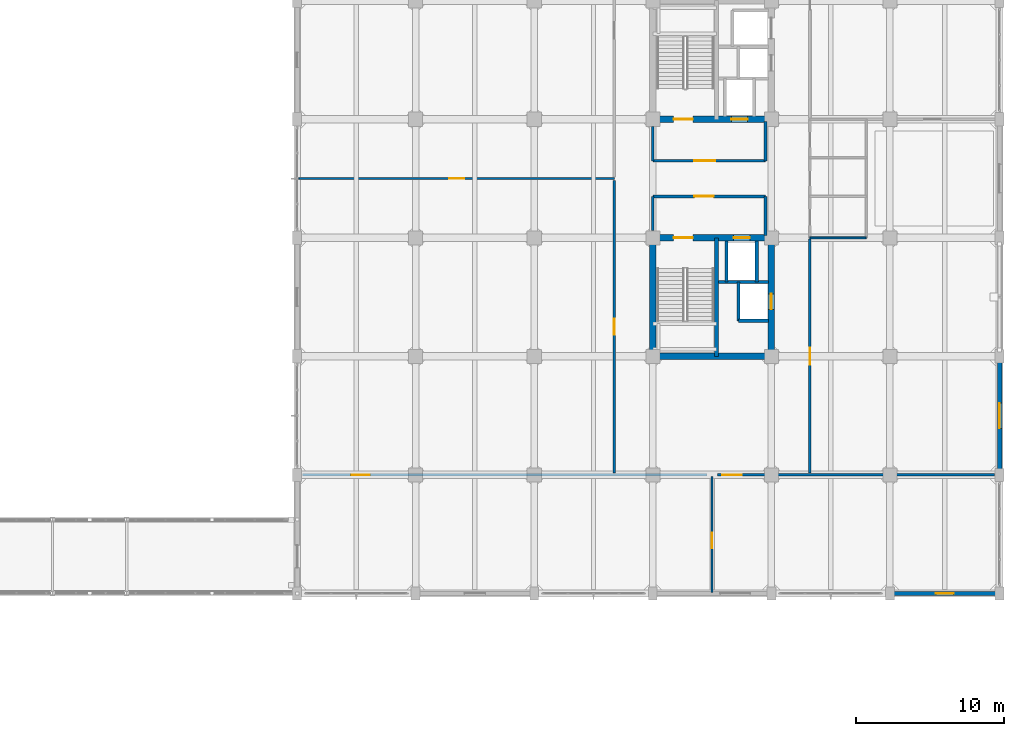
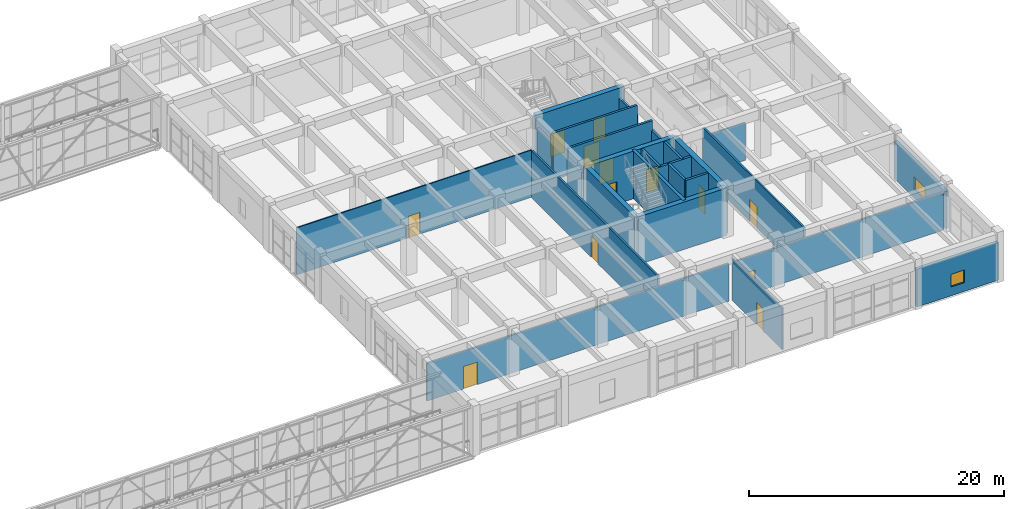
# One storey, part 228 of 248: 26 walls, 13 doors, 2 windows, 15 openings.
"""IFC4 building model written with IfcOpenShell, lengths in metres."""

import ifcopenshell
import ifcopenshell.guid

model = None  # the IFC model being written
_history = None  # IfcOwnerHistory: only IFC2X3 demands one
_inside = {}  # id of a spatial element -> (the spatial element, [elements in it])
_under = {}  # id of a project, library or spatial element -> (it, [spatial elements below it])
_declared = {}  # id of a project -> (the project, [libraries it declares])
_typed = {}  # id of a type object -> (the type object, [elements of that type])
_made_of = {}  # id of a material, layer set ... -> (it, [elements and type objects made of it])


def new_model(schema):
    """Start an empty IFC model of exactly this schema.

    Asked for "IFC4X3", IfcOpenShell would pick the latest addendum, in which some entities
    have other attributes; the version numbers below select the first issue.
    IFC2X3 requires an IfcOwnerHistory on every rooted entity: one is made here for all.
    """
    global model, _history
    if schema == "IFC4X3":
        model = ifcopenshell.file(schema_version=(4, 3, 0, 0))
    else:
        model = ifcopenshell.file(schema=schema)
    _inside.clear()
    _under.clear()
    _declared.clear()
    _typed.clear()
    _made_of.clear()
    _history = None
    if model.schema == "IFC2X3":
        org = make("IfcOrganization", Name="unknown")
        user = make(
            "IfcPersonAndOrganization",
            ThePerson=make("IfcPerson", FamilyName="unknown"),
            TheOrganization=org,
        )
        app = make(
            "IfcApplication",
            ApplicationDeveloper=org,
            Version="unknown",
            ApplicationFullName="unknown",
            ApplicationIdentifier="unknown",
        )
        _history = make(
            "IfcOwnerHistory",
            OwningUser=user,
            OwningApplication=app,
            ChangeAction="ADDED",
            CreationDate=0,
        )
    return model


def make(cls, **values):
    """One entity of the class cls with the attributes given. An attribute that is None is left unset."""
    return model.create_entity(
        cls, **{name: value for name, value in values.items() if value is not None}
    )


def rooted(cls, **values):
    """An entity with a GlobalId (a new one), such as an element, a storey or a relation."""
    return make(cls, GlobalId=ifcopenshell.guid.new(), OwnerHistory=_history, **values)


def si_unit(unit_type, name, prefix=None):
    """IfcSIUnit, for example si_unit("LENGTHUNIT", "METRE", prefix="MILLI")."""
    return make("IfcSIUnit", UnitType=unit_type, Prefix=prefix, Name=name)


def assignment(units):
    """IfcUnitAssignment: the units of a project."""
    return None if units is None else make("IfcUnitAssignment", Units=units)


def point(xyz):
    """IfcCartesianPoint."""
    return None if xyz is None else make("IfcCartesianPoint", Coordinates=xyz)


def direction(xyz):
    """IfcDirection."""
    return None if xyz is None else make("IfcDirection", DirectionRatios=xyz)


def frame(location, z_axis=None, x_axis=None):
    """IfcAxis2Placement3D, a coordinate frame: its origin and axes. An axis left out is left unset."""
    return make(
        "IfcAxis2Placement3D",
        Location=point(location),
        Axis=direction(z_axis),
        RefDirection=direction(x_axis),
    )


def frame_2d(location, x_axis=None):
    """IfcAxis2Placement2D, a coordinate frame in the plane: its origin and x axis."""
    return make(
        "IfcAxis2Placement2D", Location=point(location), RefDirection=direction(x_axis)
    )


def origin():
    """The frame at (0, 0, 0) with its axes left unset."""
    return frame((0.0, 0.0, 0.0))


def place(relative_to, where):
    """IfcLocalPlacement: puts the frame where relative to a parent placement (None: the world)."""
    return make(
        "IfcLocalPlacement", PlacementRelTo=relative_to, RelativePlacement=where
    )


def context(
    kind, dimensions, precision=None, world=None, true_north=None, identifier=None
):
    """IfcGeometricRepresentationContext, for example the 3D "Model" context."""
    return make(
        "IfcGeometricRepresentationContext",
        ContextIdentifier=identifier,
        ContextType=kind,
        CoordinateSpaceDimension=dimensions,
        Precision=precision,
        WorldCoordinateSystem=world,
        TrueNorth=true_north,
    )


def subcontext(parent, identifier, kind, view, scale=None):
    """IfcGeometricRepresentationSubContext, for example "Body" below "Model"."""
    return make(
        "IfcGeometricRepresentationSubContext",
        ContextIdentifier=identifier,
        ContextType=kind,
        ParentContext=parent,
        TargetScale=scale,
        TargetView=view,
    )


def project(units=None, contexts=None):
    """IfcProject with its units and contexts."""
    return rooted(
        "IfcProject",
        Name="project",
        RepresentationContexts=contexts,
        UnitsInContext=assignment(units),
    )


def spatial(cls, under=None, at=None, **own):
    """A site, building, storey or space (cls), placed at a placement, below another one or the project."""
    s = rooted(cls, ObjectPlacement=at, **own)
    if under is not None:
        _under.setdefault(under.id(), (under, []))[1].append(s)
    return s


def profile(cls, at=None, kind="AREA", **sizes):
    """A parametric profile (cls). Its sizes go by their IFC names, for example OverallWidth=200.0."""
    return make(cls, ProfileType=kind, Position=at, **sizes)


def rectangle(**sizes):
    """IfcRectangleProfileDef."""
    return profile("IfcRectangleProfileDef", **sizes)


def extrude(swept, where, along, depth):
    """IfcExtrudedAreaSolid: the profile swept, set in the frame where, extruded along a direction by depth."""
    return make(
        "IfcExtrudedAreaSolid",
        SweptArea=swept,
        Position=where,
        ExtrudedDirection=direction(along),
        Depth=depth,
    )


def shape(context_of_items, identifier, shape_type, items):
    """IfcShapeRepresentation: the items that make up one representation, for example the "Body"."""
    return make(
        "IfcShapeRepresentation",
        ContextOfItems=context_of_items,
        RepresentationIdentifier=identifier,
        RepresentationType=shape_type,
        Items=items,
    )


def material(Name=None, Category=None):
    """IfcMaterial."""
    return make("IfcMaterial", Name=Name, Category=Category)


def layer(
    of_material, thickness, ventilated=None, Name=None, Category=None, Priority=None
):
    """IfcMaterialLayer: one layer of a wall or slab, of a material (None: an air gap)."""
    return make(
        "IfcMaterialLayer",
        Material=of_material,
        LayerThickness=thickness,
        IsVentilated=ventilated,
        Name=Name,
        Category=Category,
        Priority=Priority,
    )


def layer_set(layers, Name=None):
    """IfcMaterialLayerSet."""
    return make("IfcMaterialLayerSet", MaterialLayers=layers, LayerSetName=Name)


def made_of(thing, what):
    """Note that an element or type object is made of a material, layer set ...; save() writes the relation."""
    if what is not None:
        _made_of.setdefault(what.id(), (what, []))[1].append(thing)
    return thing


def type_object(cls, material=None, **own):
    """A type object (cls), such as IfcWallType, which elements share."""
    return made_of(rooted(cls, **own), material)


def element(
    cls,
    number,
    at=None,
    inside=None,
    cuts=None,
    type_object=None,
    material=None,
    context=None,
    identifier="Body",
    shape_type=None,
    held_by="IfcProductDefinitionShape",
    body=None,
    shapes=None,
    **own,
):
    """One element of the class cls, such as IfcWall. Its Tag is "e" and its number.

    at: its placement. inside: the storey or other place that contains it. cuts: it is an
    opening in that element (IfcRelVoidsElement). A single representation is given by context,
    identifier, shape_type and body (its items); several are given by shapes. held_by: the class
    of the entity that holds the representations. save() writes the other relations.
    """
    e = rooted(cls, Tag="e%d" % number, ObjectPlacement=at, **own)
    if body is not None:
        shapes = [shape(context, identifier, shape_type, body)]
    if shapes is not None:
        e.Representation = make(held_by, Representations=shapes)
    if inside is not None:
        _inside.setdefault(inside.id(), (inside, []))[1].append(e)
    if cuts is not None:
        rooted(
            "IfcRelVoidsElement", RelatingBuildingElement=cuts, RelatedOpeningElement=e
        )
    if type_object is not None:
        _typed.setdefault(type_object.id(), (type_object, []))[1].append(e)
    return made_of(e, material)


def fill(opening, filler):
    """IfcRelFillsElement: the door or window that sits in an opening."""
    return rooted(
        "IfcRelFillsElement",
        RelatingOpeningElement=opening,
        RelatedBuildingElement=filler,
    )


def aggregate(whole, parts):
    """IfcRelAggregates: a whole, such as a stair, and the parts it consists of."""
    return rooted("IfcRelAggregates", RelatingObject=whole, RelatedObjects=parts)


def save(model, path):
    """Write the relations noted so far, then the file.

    IfcRelAggregates (storeys below a building ...), IfcRelContainedInSpatialStructure (elements
    in a storey), IfcRelDefinesByType, IfcRelAssociatesMaterial and IfcRelDeclares: one each for
    every whole, place, type object, material and project.
    """
    for whole, parts in _under.values():
        aggregate(whole, parts)
    for where, things in _inside.values():
        rooted(
            "IfcRelContainedInSpatialStructure",
            RelatedElements=things,
            RelatingStructure=where,
        )
    for kind, things in _typed.values():
        rooted("IfcRelDefinesByType", RelatedObjects=things, RelatingType=kind)
    for what, things in _made_of.values():
        rooted("IfcRelAssociatesMaterial", RelatedObjects=things, RelatingMaterial=what)
    for by, libraries in _declared.values():
        rooted("IfcRelDeclares", RelatingContext=by, RelatedDefinitions=libraries)
    model.write(path)


model = new_model("IFC4")

# Units and contexts
model_context = context("Model", 3, precision=1e-05, world=origin(), true_north=direction((0.0, 1.0)))
body_context = subcontext(model_context, "Body", "Model", "MODEL_VIEW")
ifc_project = project(units=[si_unit("LENGTHUNIT", "METRE"), si_unit("AREAUNIT", "SQUARE_METRE"), si_unit("VOLUMEUNIT", "CUBIC_METRE"), si_unit("PLANEANGLEUNIT", "RADIAN"), si_unit("MASSUNIT", "GRAM", prefix="KILO")], contexts=[model_context])

# Site, building, storey
site_placement = place(None, origin())
site = spatial("IfcSite", under=ifc_project, at=site_placement, CompositionType="ELEMENT")
building_placement = place(site_placement, origin())
building = spatial("IfcBuilding", under=site, at=building_placement, Name="Canggui Botanical Conservatory", CompositionType="ELEMENT")
storey_placement = place(building_placement, frame((0.0, 0.0, 5.39990234375)))
storey = spatial("IfcBuildingStorey", under=building, at=storey_placement, Name="L02", CompositionType="ELEMENT", Elevation=5.39990234375)

# Wall, opening, window
ifc_material_1 = material(Name="Precast Concrete C40", Category="concrete")
ifc_layer_1 = layer(ifc_material_1, 0.300048828125, Name="Precast Concrete C40", Category="concrete")
ifc_layer_set_1 = layer_set([ifc_layer_1], Name="Precast Concrete C40")
wall_type_1 = type_object("IfcWallType", Name="EW-300", PredefinedType="STANDARD", material=ifc_layer_set_1)
wall_1_placement = place(storey_placement, frame((177.39990234375, 26.0, 0.0), z_axis=(0.0, 0.0, 1.0), x_axis=(-1.0, 0.0, 0.0)))
wall_1 = element("IfcWall", 1, at=wall_1_placement, inside=storey, type_object=wall_type_1, Name="Tower Insulated Exterior Wall L02-S1", PredefinedType="STANDARD", context=body_context, shape_type="SweptSolid", body=[
    extrude(rectangle(XDim=7.39990234375, YDim=0.300048828125, at=frame_2d((3.699951171875, 0.0))), origin(), (0.0, 0.0, 1.0), 3.60009765625),
])
opening_1_placement = place(wall_1_placement, frame((3.10009765625, 0.0, 0.85009765625)))
opening_1 = element("IfcOpeningElement", 2, at=opening_1_placement, cuts=wall_1, Name="Opening W-06", PredefinedType="OPENING", context=body_context, shape_type="SweptSolid", body=[
    extrude(rectangle(XDim=1.199951171875, YDim=1.199951171875, at=frame_2d((0.60009765625, 0.60009765625))), frame((0.0, 0.16015625, 0.0), z_axis=(0.0, -1.0, 0.0), x_axis=(1.0, 0.0, 0.0)), (0.0, 0.0, 1.0), 0.320068359375),
])
ifc_material_2 = material(Name="Low-E Insulated Glass", Category="glass")
window_type_1 = type_object("IfcWindowType", Name="WIN-06", PartitioningType="SINGLE_PANEL", PredefinedType="WINDOW", material=ifc_material_2)
window_1_placement = place(opening_1_placement, origin())
window_1 = element("IfcWindow", 3, at=window_1_placement, inside=storey, type_object=window_type_1, Name="Tower Firefighter Rescue Window L02-1", OverallHeight=1.199951171875, OverallWidth=1.199951171875, PartitioningType="SINGLE_PANEL", PredefinedType="WINDOW", context=body_context, shape_type="SweptSolid", body=[
    extrude(rectangle(XDim=1.199951171875, YDim=1.199951171875, at=frame_2d((0.60009765625, 0.60009765625))), frame((0.0, 0.030029296875, 0.0), z_axis=(0.0, -1.0, 0.0), x_axis=(1.0, 0.0, 0.0)), (0.0, 0.0, 1.0), 0.06005859375),
])
fill(opening_1, window_1)

wall_2_placement = place(storey_placement, frame((177.39990234375, 42.0, 0.0), z_axis=(0.0, 0.0, 1.0), x_axis=(0.0, -1.0, 0.0)))
wall_2 = element("IfcWall", 4, at=wall_2_placement, inside=storey, type_object=wall_type_1, Name="Tower Insulated Exterior Wall L02-E25", PredefinedType="STANDARD", context=body_context, shape_type="SweptSolid", body=[
    extrude(rectangle(XDim=8.0, YDim=0.300048828125, at=frame_2d((4.0, 0.0))), origin(), (0.0, 0.0, 1.0), 3.550048828125),
])
opening_2_placement = place(wall_2_placement, frame((3.14990234375, 0.0, 0.85009765625)))
opening_2 = element("IfcOpeningElement", 5, at=opening_2_placement, cuts=wall_2, Name="Opening W-23", PredefinedType="OPENING", context=body_context, shape_type="SweptSolid", body=[
    extrude(rectangle(XDim=1.699951171875, YDim=1.199951171875, at=frame_2d((0.85009765625, 0.60009765625))), frame((0.0, 0.16015625, 0.0), z_axis=(0.0, -1.0, 0.0), x_axis=(1.0, 0.0, 0.0)), (0.0, 0.0, 1.0), 0.320068359375),
])
window_type_2 = type_object("IfcWindowType", Name="WIN-23", PartitioningType="SINGLE_PANEL", PredefinedType="WINDOW", material=ifc_material_2)
window_2_placement = place(opening_2_placement, origin())
window_2 = element("IfcWindow", 6, at=window_2_placement, inside=storey, type_object=window_type_2, Name="Tower Window L02-25", OverallHeight=1.199951171875, OverallWidth=1.699951171875, PartitioningType="SINGLE_PANEL", PredefinedType="WINDOW", context=body_context, shape_type="SweptSolid", body=[
    extrude(rectangle(XDim=1.699951171875, YDim=1.199951171875, at=frame_2d((0.85009765625, 0.60009765625))), frame((0.0, 0.030029296875, 0.0), z_axis=(0.0, -1.0, 0.0), x_axis=(1.0, 0.0, 0.0)), (0.0, 0.0, 1.0), 0.06005859375),
])
fill(opening_2, window_2)

# Wall, opening, door
ifc_material_3 = material(Name="Gypsum Plasterboard Partition")
ifc_layer_2 = layer(ifc_material_3, 0.175048828125, Name="Gypsum Plasterboard Partition")
ifc_layer_set_2 = layer_set([ifc_layer_2], Name="Gypsum Plasterboard Partition")
wall_type_2 = type_object("IfcWallType", Name="IW-CORR-175", PredefinedType="STANDARD", material=ifc_layer_set_2)
wall_3_placement = place(storey_placement, frame((151.39990234375, 34.1201171875, 0.0), z_axis=(0.0, 0.0, 1.0), x_axis=(0.0, 1.0, 0.0)))
wall_3 = element("IfcWall", 7, at=wall_3_placement, inside=storey, type_object=wall_type_2, Name="L02 Herbarium Vascular Plant Specimen Vault Corridor Wall", PredefinedType="STANDARD", context=body_context, shape_type="SweptSolid", body=[
    extrude(rectangle(XDim=19.759765625, YDim=0.175048828125, at=frame_2d((9.8798828125, 0.0))), origin(), (0.0, 0.0, 1.0), 4.5),
])
opening_3_placement = place(wall_3_placement, frame((9.35498046875, 0.0, 0.0)))
opening_3 = element("IfcOpeningElement", 8, at=opening_3_placement, cuts=wall_3, Name="Opening FD-04", PredefinedType="OPENING", context=body_context, shape_type="SweptSolid", body=[
    extrude(rectangle(XDim=1.050048828125, YDim=2.10009765625, at=frame_2d((0.52490234375, 1.050048828125))), frame((0.0, 0.09765625, 0.0), z_axis=(0.0, -1.0, 0.0), x_axis=(1.0, 0.0, 0.0)), (0.0, 0.0, 1.0), 0.195068359375),
])
ifc_material_4 = material(Name="Powder-Coated Steel", Category="steel")
door_type_1 = type_object("IfcDoorType", Name="FD-04", OperationType="NOTDEFINED", PredefinedType="DOOR", material=ifc_material_4)
door_1_placement = place(opening_3_placement, origin())
door_1 = element("IfcDoor", 9, at=door_1_placement, inside=storey, type_object=door_type_1, Name="L02 Herbarium Vascular Plant Specimen Vault Entrance Door", OperationType="SINGLE_SWING_LEFT", OverallHeight=2.10009765625, OverallWidth=1.050048828125, PredefinedType="DOOR", context=body_context, shape_type="SweptSolid", body=[
    extrude(rectangle(XDim=1.050048828125, YDim=2.10009765625, at=frame_2d((0.52490234375, 1.050048828125))), frame((0.0, 0.02490234375, 0.0), z_axis=(0.0, -1.0, 0.0), x_axis=(1.0, 0.0, 0.0)), (0.0, 0.0, 1.0), 0.050048828125),
])
fill(opening_3, door_1)

wall_4_placement = place(storey_placement, frame((130.35009765625, 34.0, 0.0), z_axis=(0.0, 0.0, 1.0), x_axis=(1.0, 0.0, 0.0)))
wall_4 = element("IfcWall", 10, at=wall_4_placement, inside=storey, type_object=wall_type_2, Name="L02 Specimen Pressing and Drying Room South Suite Wall", PredefinedType="STANDARD", context=body_context, shape_type="SweptSolid", body=[
    extrude(rectangle(XDim=27.2998046875, YDim=0.175048828125, at=frame_2d((13.64990234375, 0.0))), origin(), (0.0, 0.0, 1.0), 3.60009765625),
])
opening_4_placement = place(wall_4_placement, frame((3.300048828125, 0.0, 0.0)))
opening_4 = element("IfcOpeningElement", 11, at=opening_4_placement, cuts=wall_4, Name="Opening FD-08", PredefinedType="OPENING", context=body_context, shape_type="SweptSolid", body=[
    extrude(rectangle(XDim=1.25, YDim=2.14990234375, at=frame_2d((0.625, 1.074951171875))), frame((0.0, 0.09765625, 0.0), z_axis=(0.0, -1.0, 0.0), x_axis=(1.0, 0.0, 0.0)), (0.0, 0.0, 1.0), 0.195068359375),
])
door_type_2 = type_object("IfcDoorType", Name="FD-08", OperationType="NOTDEFINED", PredefinedType="DOOR", material=ifc_material_4)
door_2_placement = place(opening_4_placement, origin())
door_2 = element("IfcDoor", 12, at=door_2_placement, inside=storey, type_object=door_type_2, Name="Interior Door IW-L02-SCOR-1", OperationType="SINGLE_SWING_LEFT", OverallHeight=2.14990234375, OverallWidth=1.25, PredefinedType="DOOR", context=body_context, shape_type="SweptSolid", body=[
    extrude(rectangle(XDim=1.25, YDim=2.14990234375, at=frame_2d((0.625, 1.074951171875))), frame((0.0, 0.02490234375, 0.0), z_axis=(0.0, -1.0, 0.0), x_axis=(1.0, 0.0, 0.0)), (0.0, 0.0, 1.0), 0.050048828125),
])
fill(opening_4, door_2)

wall_5_placement = place(storey_placement, frame((158.35009765625, 34.0, 0.0), z_axis=(0.0, 0.0, 1.0), x_axis=(1.0, 0.0, 0.0)))
wall_5 = element("IfcWall", 13, at=wall_5_placement, inside=storey, type_object=wall_type_2, Name="L02 Botanical Taxonomy Catalogue Room South Suite Wall", PredefinedType="STANDARD", context=body_context, shape_type="SweptSolid", body=[
    extrude(rectangle(XDim=18.699951171875, YDim=0.175048828125, at=frame_2d((9.35009765625, 0.0))), origin(), (0.0, 0.0, 1.0), 3.60009765625),
])
opening_5_placement = place(wall_5_placement, frame((0.35009765625, 0.0, 0.0)))
opening_5 = element("IfcOpeningElement", 14, at=opening_5_placement, cuts=wall_5, Name="Opening FD-09", PredefinedType="OPENING", context=body_context, shape_type="SweptSolid", body=[
    extrude(rectangle(XDim=1.300048828125, YDim=2.14990234375, at=frame_2d((0.64990234375, 1.074951171875))), frame((0.0, 0.09765625, 0.0), z_axis=(0.0, -1.0, 0.0), x_axis=(1.0, 0.0, 0.0)), (0.0, 0.0, 1.0), 0.195068359375),
])
door_type_3 = type_object("IfcDoorType", Name="FD-09", OperationType="NOTDEFINED", PredefinedType="DOOR", material=ifc_material_4)
door_3_placement = place(opening_5_placement, origin())
door_3 = element("IfcDoor", 15, at=door_3_placement, inside=storey, type_object=door_type_3, Name="Interior Door IW-L02-SCOR-2", OperationType="SINGLE_SWING_LEFT", OverallHeight=2.14990234375, OverallWidth=1.300048828125, PredefinedType="DOOR", context=body_context, shape_type="SweptSolid", body=[
    extrude(rectangle(XDim=1.300048828125, YDim=2.14990234375, at=frame_2d((0.64990234375, 1.074951171875))), frame((0.0, 0.02490234375, 0.0), z_axis=(0.0, -1.0, 0.0), x_axis=(1.0, 0.0, 0.0)), (0.0, 0.0, 1.0), 0.050048828125),
])
fill(opening_5, door_3)

ifc_layer_3 = layer(ifc_material_3, 0.155029296875, Name="Gypsum Plasterboard Partition")
ifc_layer_set_3 = layer_set([ifc_layer_3], Name="Gypsum Plasterboard Partition")
wall_type_3 = type_object("IfcWallType", Name="IW-LAB-155", PredefinedType="STANDARD", material=ifc_layer_set_3)
wall_6_placement = place(storey_placement, frame((164.60009765625, 34.1201171875, 0.0), z_axis=(0.0, 0.0, 1.0), x_axis=(0.0, 1.0, 0.0)))
wall_6 = element("IfcWall", 16, at=wall_6_placement, inside=storey, type_object=wall_type_3, Name="L02 Herbarium Mounting and Curation Studio Lab Wall", PredefinedType="STANDARD", context=body_context, shape_type="SweptSolid", body=[
    extrude(rectangle(XDim=15.7998046875, YDim=0.155029296875, at=frame_2d((7.89990234375, 0.0))), origin(), (0.0, 0.0, 1.0), 4.5),
])
opening_6_placement = place(wall_6_placement, frame((7.324951171875, 0.0, 0.0)))
opening_6 = element("IfcOpeningElement", 17, at=opening_6_placement, cuts=wall_6, Name="Opening FD-06", PredefinedType="OPENING", context=body_context, shape_type="SweptSolid", body=[
    extrude(rectangle(XDim=1.14990234375, YDim=2.10009765625, at=frame_2d((0.574951171875, 1.050048828125))), frame((0.0, 0.08740234375, 0.0), z_axis=(0.0, -1.0, 0.0), x_axis=(1.0, 0.0, 0.0)), (0.0, 0.0, 1.0), 0.175048828125),
])
door_type_4 = type_object("IfcDoorType", Name="FD-06", OperationType="NOTDEFINED", PredefinedType="DOOR", material=ifc_material_4)
door_4_placement = place(opening_6_placement, origin())
door_4 = element("IfcDoor", 18, at=door_4_placement, inside=storey, type_object=door_type_4, Name="Interior Door IW-L02-ECOR-1-1", OperationType="SINGLE_SWING_RIGHT", OverallHeight=2.10009765625, OverallWidth=1.14990234375, PredefinedType="DOOR", context=body_context, shape_type="SweptSolid", body=[
    extrude(rectangle(XDim=1.14990234375, YDim=2.10009765625, at=frame_2d((0.574951171875, 1.050048828125))), frame((0.0, 0.02490234375, 0.0), z_axis=(0.0, -1.0, 0.0), x_axis=(1.0, 0.0, 0.0)), (0.0, 0.0, 1.0), 0.050048828125),
])
fill(opening_6, door_4)

ifc_layer_4 = layer(ifc_material_3, 0.110107421875, Name="Gypsum Plasterboard Partition")
ifc_layer_set_4 = layer_set([ifc_layer_4], Name="Gypsum Plasterboard Partition")
wall_type_4 = type_object("IfcWallType", Name="IW-LIGHT-110", PredefinedType="STANDARD", material=ifc_layer_set_4)
wall_7_placement = place(storey_placement, frame((130.1201171875, 54.0, 0.0), z_axis=(0.0, 0.0, 1.0), x_axis=(1.0, 0.0, 0.0)))
wall_7 = element("IfcWall", 19, at=wall_7_placement, inside=storey, type_object=wall_type_4, Name="L02 Herbarium Vascular Plant Specimen Vault Cross Partition", PredefinedType="STANDARD", context=body_context, shape_type="SweptSolid", body=[
    extrude(rectangle(XDim=21.27978515625, YDim=0.110107421875, at=frame_2d((10.639892578125, 0.0))), origin(), (0.0, 0.0, 1.0), 4.5),
])
opening_7_placement = place(wall_7_placement, frame((10.1298828125, 0.0, 0.0)))
opening_7 = element("IfcOpeningElement", 20, at=opening_7_placement, cuts=wall_7, Name="Opening ID-04", PredefinedType="OPENING", context=body_context, shape_type="SweptSolid", body=[
    extrude(rectangle(XDim=1.02001953125, YDim=2.080078125, at=frame_2d((0.510009765625, 1.0400390625))), frame((0.0, 0.06494140625, 0.0), z_axis=(0.0, -1.0, 0.0), x_axis=(1.0, 0.0, 0.0)), (0.0, 0.0, 1.0), 0.130126953125),
])
ifc_material_5 = material(Name="Engineered Timber Veneer", Category="wood")
door_type_5 = type_object("IfcDoorType", Name="ID-04", OperationType="NOTDEFINED", PredefinedType="DOOR", material=ifc_material_5)
door_5_placement = place(opening_7_placement, origin())
door_5 = element("IfcDoor", 21, at=door_5_placement, inside=storey, type_object=door_type_5, Name="L02 Herbarium Vascular Plant Specimen Vault Interconnecting Door", OperationType="SINGLE_SWING_RIGHT", OverallHeight=2.080078125, OverallWidth=1.02001953125, PredefinedType="DOOR", context=body_context, shape_type="SweptSolid", body=[
    extrude(rectangle(XDim=1.02001953125, YDim=2.080078125, at=frame_2d((0.510009765625, 1.0400390625))), frame((0.0, 0.02490234375, 0.0), z_axis=(0.0, -1.0, 0.0), x_axis=(1.0, 0.0, 0.0)), (0.0, 0.0, 1.0), 0.050048828125),
])
fill(opening_7, door_5)

ifc_material_6 = material(Name="Concrete C35", Category="concrete")
ifc_layer_5 = layer(ifc_material_6, 0.195068359375, Name="Concrete C35", Category="concrete")
ifc_layer_set_5 = layer_set([ifc_layer_5], Name="Concrete C35")
wall_type_5 = type_object("IfcWallType", Name="IW-LOBBY-195", PredefinedType="STANDARD", material=ifc_layer_set_5)
wall_8_placement = place(storey_placement, frame((154.0, 52.800048828125, 0.0), z_axis=(0.0, 0.0, 1.0), x_axis=(1.0, 0.0, 0.0)))
wall_8 = element("IfcWall", 22, at=wall_8_placement, inside=storey, type_object=wall_type_5, Name="L02 South Firefighting Lift Lobby North Wall", PredefinedType="STANDARD", context=body_context, shape_type="SweptSolid", body=[
    extrude(rectangle(XDim=7.60009765625, YDim=0.195068359375, at=frame_2d((3.800048828125, 0.0))), origin(), (0.0, 0.0, 1.0), 4.5),
])
opening_8_placement = place(wall_8_placement, frame((2.800048828125, 0.0, 0.0)))
opening_8 = element("IfcOpeningElement", 23, at=opening_8_placement, cuts=wall_8, Name="Opening FD-09", PredefinedType="OPENING", context=body_context, shape_type="SweptSolid", body=[
    extrude(rectangle(XDim=1.300048828125, YDim=2.14990234375, at=frame_2d((0.64990234375, 1.074951171875))), frame((0.0, 0.107421875, 0.0), z_axis=(0.0, -1.0, 0.0), x_axis=(1.0, 0.0, 0.0)), (0.0, 0.0, 1.0), 0.215087890625),
])
door_6_placement = place(opening_8_placement, origin())
door_6 = element("IfcDoor", 24, at=door_6_placement, inside=storey, type_object=door_type_3, Name="L02 South Firefighting Lobby Fire Door", OperationType="SINGLE_SWING_RIGHT", OverallHeight=2.14990234375, OverallWidth=1.300048828125, PredefinedType="DOOR", context=body_context, shape_type="SweptSolid", body=[
    extrude(rectangle(XDim=1.300048828125, YDim=2.14990234375, at=frame_2d((0.64990234375, 1.074951171875))), frame((0.0, 0.02490234375, 0.0), z_axis=(0.0, -1.0, 0.0), x_axis=(1.0, 0.0, 0.0)), (0.0, 0.0, 1.0), 0.050048828125),
])
fill(opening_8, door_6)

# Walls
wall_9_placement = place(storey_placement, frame((161.60009765625, 50.14990234375, 0.0), z_axis=(0.0, 0.0, 1.0), x_axis=(0.0, 1.0, 0.0)))
element("IfcWall", 25, at=wall_9_placement, inside=storey, type_object=wall_type_5, Name="L02 South Firefighting Lift Lobby East Wall", PredefinedType="STANDARD", context=body_context, shape_type="SweptSolid", body=[
    extrude(rectangle(XDim=2.650146484375, YDim=0.195068359375, at=frame_2d((1.3251953125, 0.0))), origin(), (0.0, 0.0, 1.0), 3.550048828125),
])
wall_10_placement = place(storey_placement, frame((154.0, 50.5, 0.0), z_axis=(0.0, 0.0, 1.0), x_axis=(0.0, 1.0, 0.0)))
element("IfcWall", 26, at=wall_10_placement, inside=storey, type_object=wall_type_5, Name="L02 South Firefighting Lift Lobby West Wall", PredefinedType="STANDARD", context=body_context, shape_type="SweptSolid", body=[
    extrude(rectangle(XDim=2.300048828125, YDim=0.195068359375, at=frame_2d((1.14990234375, 0.0))), origin(), (0.0, 0.0, 1.0), 3.550048828125),
])

# Wall, opening, door
wall_11_placement = place(storey_placement, frame((154.0, 55.199951171875, 0.0), z_axis=(0.0, 0.0, 1.0), x_axis=(1.0, 0.0, 0.0)))
wall_11 = element("IfcWall", 27, at=wall_11_placement, inside=storey, type_object=wall_type_5, Name="L02 North Firefighting Lift Lobby South Wall", PredefinedType="STANDARD", context=body_context, shape_type="SweptSolid", body=[
    extrude(rectangle(XDim=7.60009765625, YDim=0.195068359375, at=frame_2d((3.800048828125, 0.0))), origin(), (0.0, 0.0, 1.0), 4.5),
])
opening_9_placement = place(wall_11_placement, frame((2.800048828125, 0.0, 0.0)))
opening_9 = element("IfcOpeningElement", 28, at=opening_9_placement, cuts=wall_11, Name="Opening FD-11", PredefinedType="OPENING", context=body_context, shape_type="SweptSolid", body=[
    extrude(rectangle(XDim=1.39990234375, YDim=2.199951171875, at=frame_2d((0.699951171875, 1.10009765625))), frame((0.0, 0.107421875, 0.0), z_axis=(0.0, -1.0, 0.0), x_axis=(1.0, 0.0, 0.0)), (0.0, 0.0, 1.0), 0.215087890625),
])
door_type_6 = type_object("IfcDoorType", Name="FD-11", OperationType="NOTDEFINED", PredefinedType="DOOR", material=ifc_material_4)
door_7_placement = place(opening_9_placement, origin())
door_7 = element("IfcDoor", 29, at=door_7_placement, inside=storey, type_object=door_type_6, Name="L02 North Firefighting Lobby Fire Door", OperationType="SINGLE_SWING_LEFT", OverallHeight=2.199951171875, OverallWidth=1.39990234375, PredefinedType="DOOR", context=body_context, shape_type="SweptSolid", body=[
    extrude(rectangle(XDim=1.39990234375, YDim=2.199951171875, at=frame_2d((0.699951171875, 1.10009765625))), frame((0.0, 0.02490234375, 0.0), z_axis=(0.0, -1.0, 0.0), x_axis=(1.0, 0.0, 0.0)), (0.0, 0.0, 1.0), 0.050048828125),
])
fill(opening_9, door_7)

# Walls
wall_12_placement = place(storey_placement, frame((161.60009765625, 55.199951171875, 0.0), z_axis=(0.0, 0.0, 1.0), x_axis=(0.0, 1.0, 0.0)))
element("IfcWall", 30, at=wall_12_placement, inside=storey, type_object=wall_type_5, Name="L02 North Firefighting Lift Lobby East Wall", PredefinedType="STANDARD", context=body_context, shape_type="SweptSolid", body=[
    extrude(rectangle(XDim=2.650146484375, YDim=0.195068359375, at=frame_2d((1.3251953125, 0.0))), origin(), (0.0, 0.0, 1.0), 3.550048828125),
])
wall_13_placement = place(storey_placement, frame((154.0, 55.199951171875, 0.0), z_axis=(0.0, 0.0, 1.0), x_axis=(0.0, 1.0, 0.0)))
element("IfcWall", 31, at=wall_13_placement, inside=storey, type_object=wall_type_5, Name="L02 North Firefighting Lift Lobby West Wall", PredefinedType="STANDARD", context=body_context, shape_type="SweptSolid", body=[
    extrude(rectangle(XDim=2.300048828125, YDim=0.195068359375, at=frame_2d((1.14990234375, 0.0))), origin(), (0.0, 0.0, 1.0), 3.550048828125),
])

# Wall, opening, door
ifc_layer_6 = layer(ifc_material_3, 0.139892578125, Name="Gypsum Plasterboard Partition")
ifc_layer_set_6 = layer_set([ifc_layer_6], Name="Gypsum Plasterboard Partition")
wall_type_6 = type_object("IfcWallType", Name="IW-PART-140", PredefinedType="STANDARD", material=ifc_layer_set_6)
wall_14_placement = place(storey_placement, frame((158.0, 26.050048828125, 0.0), z_axis=(0.0, 0.0, 1.0), x_axis=(0.0, 1.0, 0.0)))
wall_14 = element("IfcWall", 32, at=wall_14_placement, inside=storey, type_object=wall_type_6, Name="L02 Specimen Pressing and Drying Room South Cross Wall", PredefinedType="STANDARD", context=body_context, shape_type="SweptSolid", body=[
    extrude(rectangle(XDim=7.829833984375, YDim=0.139892578125, at=frame_2d((3.9150390625, 0.0))), origin(), (0.0, 0.0, 1.0), 4.0),
])
opening_10_placement = place(wall_14_placement, frame((3.0, 0.0, 0.0)))
opening_10 = element("IfcOpeningElement", 33, at=opening_10_placement, cuts=wall_14, Name="Opening ID-05", PredefinedType="OPENING", context=body_context, shape_type="SweptSolid", body=[
    extrude(rectangle(XDim=1.06005859375, YDim=2.1201171875, at=frame_2d((0.530029296875, 1.06005859375))), frame((0.0, 0.080078125, 0.0), z_axis=(0.0, -1.0, 0.0), x_axis=(1.0, 0.0, 0.0)), (0.0, 0.0, 1.0), 0.159912109375),
])
door_type_7 = type_object("IfcDoorType", Name="ID-05", OperationType="NOTDEFINED", PredefinedType="DOOR", material=ifc_material_5)
door_8_placement = place(opening_10_placement, origin())
door_8 = element("IfcDoor", 34, at=door_8_placement, inside=storey, type_object=door_type_7, Name="Interior Door IW-L02-SDIV-1", OperationType="SINGLE_SWING_RIGHT", OverallHeight=2.1201171875, OverallWidth=1.06005859375, PredefinedType="DOOR", context=body_context, shape_type="SweptSolid", body=[
    extrude(rectangle(XDim=1.06005859375, YDim=2.1201171875, at=frame_2d((0.530029296875, 1.06005859375))), frame((0.0, 0.02490234375, 0.0), z_axis=(0.0, -1.0, 0.0), x_axis=(1.0, 0.0, 0.0)), (0.0, 0.0, 1.0), 0.050048828125),
])
fill(opening_10, door_8)

# Walls
ifc_layer_7 = layer(ifc_material_6, 0.215087890625, Name="Concrete C35", Category="concrete")
ifc_layer_set_7 = layer_set([ifc_layer_7], Name="Concrete C35")
wall_type_7 = type_object("IfcWallType", Name="IW-SHAFT-215", PredefinedType="STANDARD", material=ifc_layer_set_7)
wall_15_placement = place(storey_placement, frame((158.449951171875, 47.02001953125, 0.0), z_axis=(0.0, 0.0, 1.0), x_axis=(1.0, 0.0, 0.0)))
element("IfcWall", 35, at=wall_15_placement, inside=storey, type_object=wall_type_7, Name="Core T1 Lift Shaft Divider L02", PredefinedType="STANDARD", context=body_context, shape_type="SweptSolid", body=[
    extrude(rectangle(XDim=3.35009765625, YDim=0.215087890625, at=frame_2d((1.675048828125, 0.0))), origin(), (0.0, 0.0, 1.0), 4.5),
])
for number, where, z_axis, x_axis, name in (
    (36, (158.97998046875, 47.02001953125, 0.0), (0.0, 0.0, 1.0), (0.0, 1.0, 0.0), "Core T1 FL-01 West Shaft Wall L02"),
    (37, (161.02001953125, 47.02001953125, 0.0), (0.0, 0.0, 1.0), (0.0, 1.0, 0.0), "Core T1 FL-01 East Shaft Wall L02"),
):
    element("IfcWall", number, at=place(storey_placement, frame(where, z_axis=z_axis, x_axis=x_axis)), inside=storey, type_object=wall_type_7, Name=name, PredefinedType="STANDARD", context=body_context, shape_type="SweptSolid", body=[
        extrude(rectangle(XDim=2.780029296875, YDim=0.215087890625, at=frame_2d((1.39013671875, 0.0))), origin(), (0.0, 0.0, 1.0), 4.5),
    ])
wall_16_placement = place(storey_placement, frame((159.780029296875, 44.39990234375, 0.0), z_axis=(0.0, 0.0, 1.0), x_axis=(0.0, 1.0, 0.0)))
element("IfcWall", 38, at=wall_16_placement, inside=storey, type_object=wall_type_7, Name="Core T1 PL-01 West Shaft Wall L02", PredefinedType="STANDARD", context=body_context, shape_type="SweptSolid", body=[
    extrude(rectangle(XDim=2.6201171875, YDim=0.215087890625, at=frame_2d((1.31005859375, 0.0))), origin(), (0.0, 0.0, 1.0), 4.5),
])
wall_17_placement = place(storey_placement, frame((159.780029296875, 44.39990234375, 0.0), z_axis=(0.0, 0.0, 1.0), x_axis=(1.0, 0.0, 0.0)))
element("IfcWall", 39, at=wall_17_placement, inside=storey, type_object=wall_type_7, Name="Core T1 PL-01 South Shaft Wall L02", PredefinedType="STANDARD", context=body_context, shape_type="SweptSolid", body=[
    extrude(rectangle(XDim=2.02001953125, YDim=0.215087890625, at=frame_2d((1.010009765625, 0.0))), origin(), (0.0, 0.0, 1.0), 4.5),
])
ifc_layer_8 = layer(ifc_material_3, 0.125, Name="Gypsum Plasterboard Partition")
ifc_layer_set_8 = layer_set([ifc_layer_8], Name="Gypsum Plasterboard Partition")
wall_type_8 = type_object("IfcWallType", Name="IW-WC-125", PredefinedType="STANDARD", material=ifc_layer_set_8)
wall_18_placement = place(storey_placement, frame((164.60009765625, 50.0, 0.0), z_axis=(0.0, 0.0, 1.0), x_axis=(1.0, 0.0, 0.0)))
element("IfcWall", 40, at=wall_18_placement, inside=storey, type_object=wall_type_8, Name="L02 Restroom Divider Y50.0", PredefinedType="STANDARD", context=body_context, shape_type="SweptSolid", body=[
    extrude(rectangle(XDim=3.7998046875, YDim=0.125, at=frame_2d((1.89990234375, 0.0))), origin(), (0.0, 0.0, 1.0), 3.60009765625),
])
ifc_layer_9 = layer(ifc_material_6, 0.280029296875, Name="Concrete C35", Category="concrete")
ifc_layer_set_9 = layer_set([ifc_layer_9], Name="Concrete C35")
wall_type_9 = type_object("IfcWallType", Name="WALL-SH-280-C35", PredefinedType="SHEAR", material=ifc_layer_set_9)
wall_19_placement = place(storey_placement, frame((158.300048828125, 42.0, 0.0), z_axis=(0.0, 0.0, 1.0), x_axis=(0.0, 1.0, 0.0)))
element("IfcWall", 41, at=wall_19_placement, inside=storey, type_object=wall_type_9, Name="Core T1 Internal Shear Web L02", PredefinedType="SHEAR", context=body_context, shape_type="SweptSolid", body=[
    extrude(rectangle(XDim=8.0, YDim=0.280029296875, at=frame_2d((4.0, 0.0))), origin(), (0.0, 0.0, 1.0), 4.550048828125),
])
ifc_material_7 = material(Name="Concrete C50", Category="concrete")
ifc_layer_10 = layer(ifc_material_7, 0.449951171875, Name="Concrete C50", Category="concrete")
ifc_layer_set_10 = layer_set([ifc_layer_10], Name="Concrete C50")
wall_type_10 = type_object("IfcWallType", Name="WALL-SH-450-C50", PredefinedType="SHEAR", material=ifc_layer_set_10)
wall_20_placement = place(storey_placement, frame((154.0, 42.0, 0.0), z_axis=(0.0, 0.0, 1.0), x_axis=(1.0, 0.0, 0.0)))
element("IfcWall", 42, at=wall_20_placement, inside=storey, type_object=wall_type_10, Name="Core T1 Shear Wall L02-S", PredefinedType="SHEAR", context=body_context, shape_type="SweptSolid", body=[
    extrude(rectangle(XDim=8.0, YDim=0.449951171875, at=frame_2d((4.0, 0.0))), origin(), (0.0, 0.0, 1.0), 4.550048828125),
])

# Wall, opening, door
wall_21_placement = place(storey_placement, frame((162.0, 42.0, 0.0), z_axis=(0.0, 0.0, 1.0), x_axis=(0.0, 1.0, 0.0)))
wall_21 = element("IfcWall", 43, at=wall_21_placement, inside=storey, type_object=wall_type_10, Name="Core T1 Shear Wall L02-E", PredefinedType="SHEAR", context=body_context, shape_type="SweptSolid", body=[
    extrude(rectangle(XDim=8.0, YDim=0.449951171875, at=frame_2d((4.0, 0.0))), origin(), (0.0, 0.0, 1.0), 4.550048828125),
])
opening_11_placement = place(wall_21_placement, frame((3.175048828125, 0.0, 0.0)))
opening_11 = element("IfcOpeningElement", 44, at=opening_11_placement, cuts=wall_21, Name="Opening LD-02", PredefinedType="OPENING", context=body_context, shape_type="SweptSolid", body=[
    extrude(rectangle(XDim=1.050048828125, YDim=2.199951171875, at=frame_2d((0.52490234375, 1.10009765625))), frame((0.0, 0.23486328125, 0.0), z_axis=(0.0, -1.0, 0.0), x_axis=(1.0, 0.0, 0.0)), (0.0, 0.0, 1.0), 0.469970703125),
])
ifc_material_8 = material(Name="Stainless Steel 304", Category="steel")
door_type_8 = type_object("IfcDoorType", Name="LDR-02", OperationType="NOTDEFINED", PredefinedType="DOOR", material=ifc_material_8)
door_9_placement = place(opening_11_placement, origin())
door_9 = element("IfcDoor", 45, at=door_9_placement, inside=storey, type_object=door_type_8, Name="Passenger Lift PL-01 Landing Door L02", OperationType="SLIDING_TO_LEFT", OverallHeight=2.199951171875, OverallWidth=1.050048828125, PredefinedType="DOOR", context=body_context, shape_type="SweptSolid", body=[
    extrude(rectangle(XDim=1.050048828125, YDim=2.199951171875, at=frame_2d((0.52490234375, 1.10009765625))), frame((0.0, 0.02490234375, 0.0), z_axis=(0.0, -1.0, 0.0), x_axis=(1.0, 0.0, 0.0)), (0.0, 0.0, 1.0), 0.050048828125),
])
fill(opening_11, door_9)

# Wall, openings, doors
wall_22_placement = place(storey_placement, frame((162.0, 50.0, 0.0), z_axis=(0.0, 0.0, 1.0), x_axis=(-1.0, 0.0, 0.0)))
wall_22 = element("IfcWall", 46, at=wall_22_placement, inside=storey, type_object=wall_type_10, Name="Core T1 Shear Wall L02-N", PredefinedType="SHEAR", context=body_context, shape_type="SweptSolid", body=[
    extrude(rectangle(XDim=8.0, YDim=0.449951171875, at=frame_2d((4.0, 0.0))), origin(), (0.0, 0.0, 1.0), 4.550048828125),
])
opening_12_placement = place(wall_22_placement, frame((5.300048828125, 0.0, 0.0)))
opening_12 = element("IfcOpeningElement", 47, at=opening_12_placement, cuts=wall_22, Name="Opening FD-09", PredefinedType="OPENING", context=body_context, shape_type="SweptSolid", body=[
    extrude(rectangle(XDim=1.300048828125, YDim=2.14990234375, at=frame_2d((0.64990234375, 1.074951171875))), frame((0.0, 0.23486328125, 0.0), z_axis=(0.0, -1.0, 0.0), x_axis=(1.0, 0.0, 0.0)), (0.0, 0.0, 1.0), 0.469970703125),
])
opening_13_placement = place(wall_22_placement, frame((1.449951171875, 0.0, 0.0)))
opening_13 = element("IfcOpeningElement", 48, at=opening_13_placement, cuts=wall_22, Name="Opening LD-01", PredefinedType="OPENING", context=body_context, shape_type="SweptSolid", body=[
    extrude(rectangle(XDim=1.10009765625, YDim=2.199951171875, at=frame_2d((0.550048828125, 1.10009765625))), frame((0.0, 0.23486328125, 0.0), z_axis=(0.0, -1.0, 0.0), x_axis=(1.0, 0.0, 0.0)), (0.0, 0.0, 1.0), 0.469970703125),
])
door_10_placement = place(opening_12_placement, origin())
door_10 = element("IfcDoor", 49, at=door_10_placement, inside=storey, type_object=door_type_3, Name="Tower South Smoke-Proof Stair Door L02", OperationType="SINGLE_SWING_LEFT", OverallHeight=2.14990234375, OverallWidth=1.300048828125, PredefinedType="DOOR", context=body_context, shape_type="SweptSolid", body=[
    extrude(rectangle(XDim=1.300048828125, YDim=2.14990234375, at=frame_2d((0.64990234375, 1.074951171875))), frame((0.0, 0.02490234375, 0.0), z_axis=(0.0, -1.0, 0.0), x_axis=(1.0, 0.0, 0.0)), (0.0, 0.0, 1.0), 0.050048828125),
])
fill(opening_12, door_10)
door_type_9 = type_object("IfcDoorType", Name="LDR-01", OperationType="NOTDEFINED", PredefinedType="DOOR", material=ifc_material_8)
door_11_placement = place(opening_13_placement, origin())
door_11 = element("IfcDoor", 50, at=door_11_placement, inside=storey, type_object=door_type_9, Name="Firefighting Lift FL-01 Landing Door L02", OperationType="SLIDING_TO_LEFT", OverallHeight=2.199951171875, OverallWidth=1.10009765625, PredefinedType="DOOR", context=body_context, shape_type="SweptSolid", body=[
    extrude(rectangle(XDim=1.10009765625, YDim=2.199951171875, at=frame_2d((0.550048828125, 1.10009765625))), frame((0.0, 0.02490234375, 0.0), z_axis=(0.0, -1.0, 0.0), x_axis=(1.0, 0.0, 0.0)), (0.0, 0.0, 1.0), 0.050048828125),
])
fill(opening_13, door_11)

# Wall
wall_23_placement = place(storey_placement, frame((154.0, 50.0, 0.0), z_axis=(0.0, 0.0, 1.0), x_axis=(0.0, -1.0, 0.0)))
element("IfcWall", 51, at=wall_23_placement, inside=storey, type_object=wall_type_10, Name="Core T1 Shear Wall L02-W", PredefinedType="SHEAR", context=body_context, shape_type="SweptSolid", body=[
    extrude(rectangle(XDim=8.0, YDim=0.449951171875, at=frame_2d((4.0, 0.0))), origin(), (0.0, 0.0, 1.0), 4.550048828125),
])

# Wall, openings, doors
wall_24_placement = place(storey_placement, frame((154.0, 58.0, 0.0), z_axis=(0.0, 0.0, 1.0), x_axis=(1.0, 0.0, 0.0)))
wall_24 = element("IfcWall", 52, at=wall_24_placement, inside=storey, type_object=wall_type_10, Name="Core T2 Shear Wall L02-S", PredefinedType="SHEAR", context=body_context, shape_type="SweptSolid", body=[
    extrude(rectangle(XDim=8.0, YDim=0.449951171875, at=frame_2d((4.0, 0.0))), origin(), (0.0, 0.0, 1.0), 4.550048828125),
])
opening_14_placement = place(wall_24_placement, frame((1.39990234375, 0.0, 0.0)))
opening_14 = element("IfcOpeningElement", 53, at=opening_14_placement, cuts=wall_24, Name="Opening FD-09", PredefinedType="OPENING", context=body_context, shape_type="SweptSolid", body=[
    extrude(rectangle(XDim=1.300048828125, YDim=2.14990234375, at=frame_2d((0.64990234375, 1.074951171875))), frame((0.0, 0.23486328125, 0.0), z_axis=(0.0, -1.0, 0.0), x_axis=(1.0, 0.0, 0.0)), (0.0, 0.0, 1.0), 0.469970703125),
])
opening_15_placement = place(wall_24_placement, frame((5.300048828125, 0.0, 0.0)))
opening_15 = element("IfcOpeningElement", 54, at=opening_15_placement, cuts=wall_24, Name="Opening LD-01", PredefinedType="OPENING", context=body_context, shape_type="SweptSolid", body=[
    extrude(rectangle(XDim=1.10009765625, YDim=2.199951171875, at=frame_2d((0.550048828125, 1.10009765625))), frame((0.0, 0.23486328125, 0.0), z_axis=(0.0, -1.0, 0.0), x_axis=(1.0, 0.0, 0.0)), (0.0, 0.0, 1.0), 0.469970703125),
])
door_12_placement = place(opening_14_placement, origin())
door_12 = element("IfcDoor", 55, at=door_12_placement, inside=storey, type_object=door_type_3, Name="Tower North Smoke-Proof Stair Door L02", OperationType="SINGLE_SWING_RIGHT", OverallHeight=2.14990234375, OverallWidth=1.300048828125, PredefinedType="DOOR", context=body_context, shape_type="SweptSolid", body=[
    extrude(rectangle(XDim=1.300048828125, YDim=2.14990234375, at=frame_2d((0.64990234375, 1.074951171875))), frame((0.0, 0.02490234375, 0.0), z_axis=(0.0, -1.0, 0.0), x_axis=(1.0, 0.0, 0.0)), (0.0, 0.0, 1.0), 0.050048828125),
])
fill(opening_14, door_12)
door_13_placement = place(opening_15_placement, origin())
door_13 = element("IfcDoor", 56, at=door_13_placement, inside=storey, type_object=door_type_9, Name="Firefighting Lift FL-02 Landing Door L02", OperationType="SLIDING_TO_RIGHT", OverallHeight=2.199951171875, OverallWidth=1.10009765625, PredefinedType="DOOR", context=body_context, shape_type="SweptSolid", body=[
    extrude(rectangle(XDim=1.10009765625, YDim=2.199951171875, at=frame_2d((0.550048828125, 1.10009765625))), frame((0.0, 0.02490234375, 0.0), z_axis=(0.0, -1.0, 0.0), x_axis=(1.0, 0.0, 0.0)), (0.0, 0.0, 1.0), 0.050048828125),
])
fill(opening_15, door_13)

save(model, "model.ifc")
